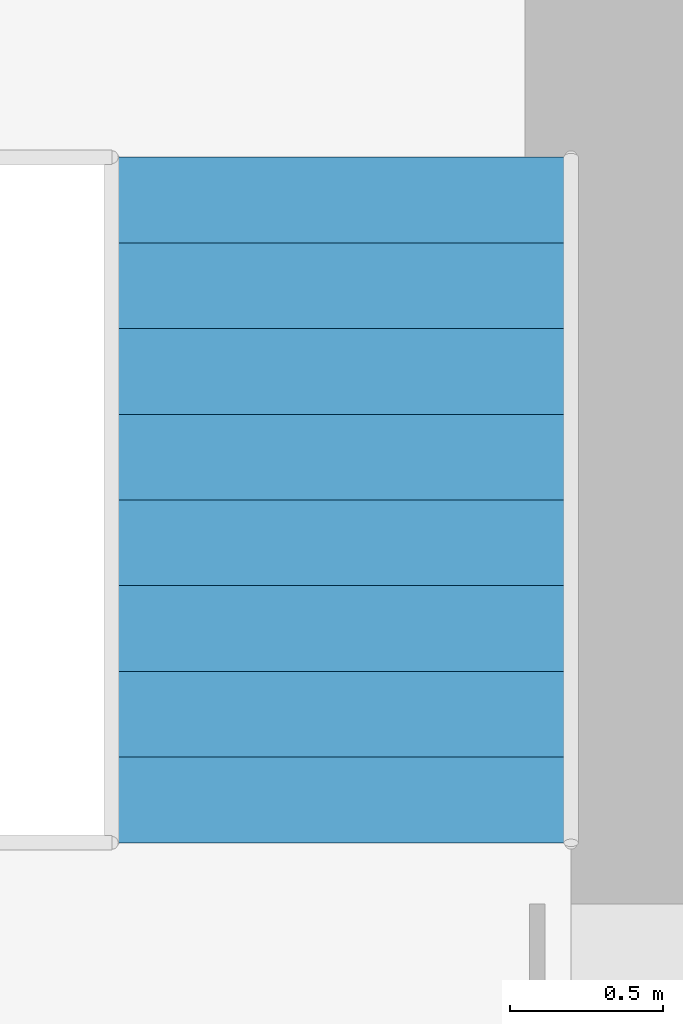
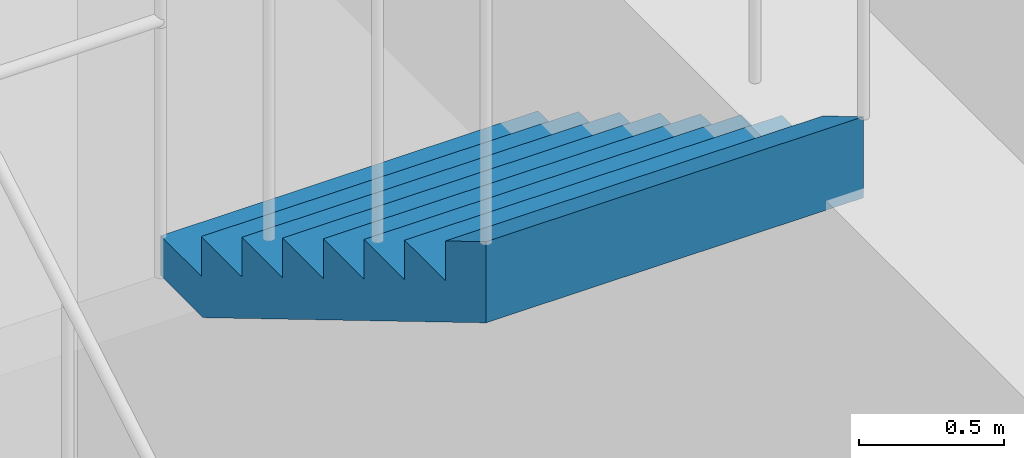
# One storey, part 22 of 32: 1 stair flight, 1 element without a shape of its own.
"""IFC4 building model written with IfcOpenShell, lengths in metres."""

import ifcopenshell
import ifcopenshell.guid

model = None  # the IFC model being written
_history = None  # IfcOwnerHistory: only IFC2X3 demands one
_inside = {}  # id of a spatial element -> (the spatial element, [elements in it])
_under = {}  # id of a project, library or spatial element -> (it, [spatial elements below it])
_declared = {}  # id of a project -> (the project, [libraries it declares])
_typed = {}  # id of a type object -> (the type object, [elements of that type])
_made_of = {}  # id of a material, layer set ... -> (it, [elements and type objects made of it])


def new_model(schema):
    """Start an empty IFC model of exactly this schema.

    Asked for "IFC4X3", IfcOpenShell would pick the latest addendum, in which some entities
    have other attributes; the version numbers below select the first issue.
    IFC2X3 requires an IfcOwnerHistory on every rooted entity: one is made here for all.
    """
    global model, _history
    if schema == "IFC4X3":
        model = ifcopenshell.file(schema_version=(4, 3, 0, 0))
    else:
        model = ifcopenshell.file(schema=schema)
    _inside.clear()
    _under.clear()
    _declared.clear()
    _typed.clear()
    _made_of.clear()
    _history = None
    if model.schema == "IFC2X3":
        org = make("IfcOrganization", Name="unknown")
        user = make(
            "IfcPersonAndOrganization",
            ThePerson=make("IfcPerson", FamilyName="unknown"),
            TheOrganization=org,
        )
        app = make(
            "IfcApplication",
            ApplicationDeveloper=org,
            Version="unknown",
            ApplicationFullName="unknown",
            ApplicationIdentifier="unknown",
        )
        _history = make(
            "IfcOwnerHistory",
            OwningUser=user,
            OwningApplication=app,
            ChangeAction="ADDED",
            CreationDate=0,
        )
    return model


def make(cls, **values):
    """One entity of the class cls with the attributes given. An attribute that is None is left unset."""
    return model.create_entity(
        cls, **{name: value for name, value in values.items() if value is not None}
    )


def rooted(cls, **values):
    """An entity with a GlobalId (a new one), such as an element, a storey or a relation."""
    return make(cls, GlobalId=ifcopenshell.guid.new(), OwnerHistory=_history, **values)


def si_unit(unit_type, name, prefix=None):
    """IfcSIUnit, for example si_unit("LENGTHUNIT", "METRE", prefix="MILLI")."""
    return make("IfcSIUnit", UnitType=unit_type, Prefix=prefix, Name=name)


def assignment(units):
    """IfcUnitAssignment: the units of a project."""
    return None if units is None else make("IfcUnitAssignment", Units=units)


def point(xyz):
    """IfcCartesianPoint."""
    return None if xyz is None else make("IfcCartesianPoint", Coordinates=xyz)


def direction(xyz):
    """IfcDirection."""
    return None if xyz is None else make("IfcDirection", DirectionRatios=xyz)


def frame(location, z_axis=None, x_axis=None):
    """IfcAxis2Placement3D, a coordinate frame: its origin and axes. An axis left out is left unset."""
    return make(
        "IfcAxis2Placement3D",
        Location=point(location),
        Axis=direction(z_axis),
        RefDirection=direction(x_axis),
    )


def origin():
    """The frame at (0, 0, 0) with its axes left unset."""
    return frame((0.0, 0.0, 0.0))


def place(relative_to, where):
    """IfcLocalPlacement: puts the frame where relative to a parent placement (None: the world)."""
    return make(
        "IfcLocalPlacement", PlacementRelTo=relative_to, RelativePlacement=where
    )


def context(
    kind, dimensions, precision=None, world=None, true_north=None, identifier=None
):
    """IfcGeometricRepresentationContext, for example the 3D "Model" context."""
    return make(
        "IfcGeometricRepresentationContext",
        ContextIdentifier=identifier,
        ContextType=kind,
        CoordinateSpaceDimension=dimensions,
        Precision=precision,
        WorldCoordinateSystem=world,
        TrueNorth=true_north,
    )


def subcontext(parent, identifier, kind, view, scale=None):
    """IfcGeometricRepresentationSubContext, for example "Body" below "Model"."""
    return make(
        "IfcGeometricRepresentationSubContext",
        ContextIdentifier=identifier,
        ContextType=kind,
        ParentContext=parent,
        TargetScale=scale,
        TargetView=view,
    )


def project(units=None, contexts=None):
    """IfcProject with its units and contexts."""
    return rooted(
        "IfcProject",
        Name="project",
        RepresentationContexts=contexts,
        UnitsInContext=assignment(units),
    )


def spatial(cls, under=None, at=None, **own):
    """A site, building, storey or space (cls), placed at a placement, below another one or the project."""
    s = rooted(cls, ObjectPlacement=at, **own)
    if under is not None:
        _under.setdefault(under.id(), (under, []))[1].append(s)
    return s


def point_list(points):
    """IfcCartesianPointList2D or 3D."""
    cls = (
        "IfcCartesianPointList2D" if len(points[0]) == 2 else "IfcCartesianPointList3D"
    )
    return make(cls, CoordList=points)


def triangles(points, corners, closed=None, point_numbers=None):
    """IfcTriangulatedFaceSet: each triangle names its three corners, points numbered from 1."""
    return make(
        "IfcTriangulatedFaceSet",
        Coordinates=point_list(points),
        Closed=closed,
        CoordIndex=corners,
        PnIndex=point_numbers,
    )


def shape(context_of_items, identifier, shape_type, items):
    """IfcShapeRepresentation: the items that make up one representation, for example the "Body"."""
    return make(
        "IfcShapeRepresentation",
        ContextOfItems=context_of_items,
        RepresentationIdentifier=identifier,
        RepresentationType=shape_type,
        Items=items,
    )


def material(Name=None, Category=None):
    """IfcMaterial."""
    return make("IfcMaterial", Name=Name, Category=Category)


def made_of(thing, what):
    """Note that an element or type object is made of a material, layer set ...; save() writes the relation."""
    if what is not None:
        _made_of.setdefault(what.id(), (what, []))[1].append(thing)
    return thing


def type_object(cls, material=None, **own):
    """A type object (cls), such as IfcWallType, which elements share."""
    return made_of(rooted(cls, **own), material)


def element(
    cls,
    number,
    at=None,
    inside=None,
    cuts=None,
    type_object=None,
    material=None,
    context=None,
    identifier="Body",
    shape_type=None,
    held_by="IfcProductDefinitionShape",
    body=None,
    shapes=None,
    **own,
):
    """One element of the class cls, such as IfcWall. Its Tag is "e" and its number.

    at: its placement. inside: the storey or other place that contains it. cuts: it is an
    opening in that element (IfcRelVoidsElement). A single representation is given by context,
    identifier, shape_type and body (its items); several are given by shapes. held_by: the class
    of the entity that holds the representations. save() writes the other relations.
    """
    e = rooted(cls, Tag="e%d" % number, ObjectPlacement=at, **own)
    if body is not None:
        shapes = [shape(context, identifier, shape_type, body)]
    if shapes is not None:
        e.Representation = make(held_by, Representations=shapes)
    if inside is not None:
        _inside.setdefault(inside.id(), (inside, []))[1].append(e)
    if cuts is not None:
        rooted(
            "IfcRelVoidsElement", RelatingBuildingElement=cuts, RelatedOpeningElement=e
        )
    if type_object is not None:
        _typed.setdefault(type_object.id(), (type_object, []))[1].append(e)
    return made_of(e, material)


def aggregate(whole, parts):
    """IfcRelAggregates: a whole, such as a stair, and the parts it consists of."""
    return rooted("IfcRelAggregates", RelatingObject=whole, RelatedObjects=parts)


def save(model, path):
    """Write the relations noted so far, then the file.

    IfcRelAggregates (storeys below a building ...), IfcRelContainedInSpatialStructure (elements
    in a storey), IfcRelDefinesByType, IfcRelAssociatesMaterial and IfcRelDeclares: one each for
    every whole, place, type object, material and project.
    """
    for whole, parts in _under.values():
        aggregate(whole, parts)
    for where, things in _inside.values():
        rooted(
            "IfcRelContainedInSpatialStructure",
            RelatedElements=things,
            RelatingStructure=where,
        )
    for kind, things in _typed.values():
        rooted("IfcRelDefinesByType", RelatedObjects=things, RelatingType=kind)
    for what, things in _made_of.values():
        rooted("IfcRelAssociatesMaterial", RelatedObjects=things, RelatingMaterial=what)
    for by, libraries in _declared.values():
        rooted("IfcRelDeclares", RelatingContext=by, RelatedDefinitions=libraries)
    model.write(path)


model = new_model("IFC4")

# Units and contexts
model_context = context("Model", 3, precision=1e-05, world=origin(), true_north=direction((0.0, 1.0)))
body_context = subcontext(model_context, "Body", "Model", "MODEL_VIEW")
ifc_project = project(units=[si_unit("LENGTHUNIT", "METRE"), si_unit("AREAUNIT", "SQUARE_METRE"), si_unit("VOLUMEUNIT", "CUBIC_METRE"), si_unit("PLANEANGLEUNIT", "RADIAN"), si_unit("MASSUNIT", "GRAM", prefix="KILO")], contexts=[model_context])

# Site, building, storey
site_placement = place(None, origin())
site = spatial("IfcSite", under=ifc_project, at=site_placement, CompositionType="ELEMENT")
building_placement = place(site_placement, origin())
building = spatial("IfcBuilding", under=site, at=building_placement, Name="Ludao Terraces", CompositionType="ELEMENT")
storey_placement = place(building_placement, origin())
storey = spatial("IfcBuildingStorey", under=building, at=storey_placement, Name="L00", CompositionType="ELEMENT", Elevation=0.0)

# Stair, stair flight
ifc_material = material(Name="Concrete C40", Category="concrete")
stair_type = type_object("IfcStairType", Name="INT Stair", PredefinedType="HALF_TURN_STAIR", material=ifc_material)
stair_placement = place(storey_placement, origin())
stair = element("IfcStair", 1, at=stair_placement, inside=storey, type_object=stair_type, Name="EXIT STAIR 2", PredefinedType="HALF_TURN_STAIR")
stair_flight_type = type_object("IfcStairFlightType", Name="INT Stair flight", PredefinedType="STRAIGHT", material=ifc_material)
stair_flight_placement = place(storey_placement, frame((93.800048828125, 81.239990234375, 4.5), z_axis=(0.0, 0.0, 1.0), x_axis=(0.0, -1.0, 0.0)))
stair_flight = element("IfcStairFlight", 2, at=stair_flight_placement, type_object=stair_flight_type, Name="ST2 flight 4", NumberOfRisers=9, NumberOfTreads=8, PredefinedType="STRAIGHT", RiserHeight=0.166667, TreadLength=0.28, context=body_context, shape_type="Tessellation", body=[
    triangles([(0.0, -0.75, 0.0), (0.0, -0.5, 0.0), (0.0, -0.25, 0.0), (0.0, 0.0, 0.0), (0.0, 0.25, 0.0), (0.0, 0.5, 0.0), (0.0, 0.75, 0.0), (0.0, -0.75, 0.166748046875), (0.0, -0.5, 0.166748046875), (0.0, -0.25, 0.166748046875), (0.0, 0.0, 0.166748046875), (0.0, 0.25, 0.166748046875), (0.0, 0.5, 0.166748046875), (0.0, 0.75, 0.166748046875), (0.280029296875, -0.75, 0.166748046875), (0.280029296875, -0.5, 0.166748046875), (0.280029296875, -0.25, 0.166748046875), (0.280029296875, 0.0, 0.166748046875), (0.280029296875, 0.25, 0.166748046875), (0.280029296875, 0.5, 0.166748046875), (0.280029296875, 0.75, 0.166748046875), (0.280029296875, -0.75, 0.333251953125), (0.280029296875, -0.5, 0.333251953125), (0.280029296875, -0.25, 0.333251953125), (0.280029296875, 0.0, 0.333251953125), (0.280029296875, 0.25, 0.333251953125), (0.280029296875, 0.5, 0.333251953125), (0.280029296875, 0.75, 0.333251953125), (0.56005859375, -0.75, 0.333251953125), (0.56005859375, -0.5, 0.333251953125), (0.56005859375, -0.25, 0.333251953125), (0.56005859375, 0.0, 0.333251953125), (0.56005859375, 0.25, 0.333251953125), (0.56005859375, 0.5, 0.333251953125), (0.56005859375, 0.75, 0.333251953125), (0.56005859375, -0.75, 0.5), (0.56005859375, -0.5, 0.5), (0.56005859375, -0.25, 0.5), (0.56005859375, 0.0, 0.5), (0.56005859375, 0.25, 0.5), (0.56005859375, 0.5, 0.5), (0.56005859375, 0.75, 0.5), (0.840087890625, -0.75, 0.5), (0.840087890625, -0.5, 0.5), (0.840087890625, -0.25, 0.5), (0.840087890625, 0.0, 0.5), (0.840087890625, 0.25, 0.5), (0.840087890625, 0.5, 0.5), (0.840087890625, 0.75, 0.5), (0.840087890625, -0.75, 0.666748046875), (0.840087890625, -0.5, 0.666748046875), (0.840087890625, -0.25, 0.666748046875), (0.840087890625, 0.0, 0.666748046875), (0.840087890625, 0.25, 0.666748046875), (0.840087890625, 0.5, 0.666748046875), (0.840087890625, 0.75, 0.666748046875), (1.1201171875, -0.75, 0.666748046875), (1.1201171875, -0.5, 0.666748046875), (1.1201171875, -0.25, 0.666748046875), (1.1201171875, 0.0, 0.666748046875), (1.1201171875, 0.25, 0.666748046875), (1.1201171875, 0.5, 0.666748046875), (1.1201171875, 0.75, 0.666748046875), (1.1201171875, -0.75, 0.833251953125), (1.1201171875, -0.5, 0.833251953125), (1.1201171875, -0.25, 0.833251953125), (1.1201171875, 0.0, 0.833251953125), (1.1201171875, 0.25, 0.833251953125), (1.1201171875, 0.5, 0.833251953125), (1.1201171875, 0.75, 0.833251953125), (1.39990234375, -0.75, 0.833251953125), (1.39990234375, -0.5, 0.833251953125), (1.39990234375, -0.25, 0.833251953125), (1.39990234375, 0.0, 0.833251953125), (1.39990234375, 0.25, 0.833251953125), (1.39990234375, 0.5, 0.833251953125), (1.39990234375, 0.75, 0.833251953125), (1.39990234375, -0.75, 1.0), (1.39990234375, -0.5, 1.0), (1.39990234375, -0.25, 1.0), (1.39990234375, 0.0, 1.0), (1.39990234375, 0.25, 1.0), (1.39990234375, 0.5, 1.0), (1.39990234375, 0.75, 1.0), (1.679931640625, -0.75, 1.0), (1.679931640625, -0.5, 1.0), (1.679931640625, -0.25, 1.0), (1.679931640625, 0.0, 1.0), (1.679931640625, 0.25, 1.0), (1.679931640625, 0.5, 1.0), (1.679931640625, 0.75, 1.0), (1.679931640625, -0.75, 1.166748046875), (1.679931640625, -0.5, 1.166748046875), (1.679931640625, -0.25, 1.166748046875), (1.679931640625, 0.0, 1.166748046875), (1.679931640625, 0.25, 1.166748046875), (1.679931640625, 0.5, 1.166748046875), (1.679931640625, 0.75, 1.166748046875), (1.9599609375, -0.75, 1.166748046875), (1.9599609375, -0.5, 1.166748046875), (1.9599609375, -0.25, 1.166748046875), (1.9599609375, 0.0, 1.166748046875), (1.9599609375, 0.25, 1.166748046875), (1.9599609375, 0.5, 1.166748046875), (1.9599609375, 0.75, 1.166748046875), (1.9599609375, -0.75, 1.333251953125), (1.9599609375, -0.5, 1.333251953125), (1.9599609375, -0.25, 1.333251953125), (1.9599609375, 0.0, 1.333251953125), (1.9599609375, 0.25, 1.333251953125), (1.9599609375, 0.5, 1.333251953125), (1.9599609375, 0.75, 1.333251953125), (2.239990234375, -0.75, 1.5), (2.239990234375, -0.5, 1.5), (2.239990234375, -0.25, 1.5), (2.239990234375, 0.0, 1.5), (2.239990234375, 0.25, 1.5), (2.239990234375, 0.5, 1.5), (2.239990234375, 0.75, 1.5), (2.239990234375, -0.75, 1.158935546875), (2.239990234375, -0.5, 1.158935546875), (2.239990234375, -0.25, 1.158935546875), (2.239990234375, 0.0, 1.158935546875), (2.239990234375, 0.25, 1.158935546875), (2.239990234375, 0.5, 1.158935546875), (2.239990234375, 0.75, 1.158935546875), (0.29296875, -0.75, 0.0), (0.29296875, -0.5, 0.0), (0.29296875, -0.25, 0.0), (0.29296875, 0.0, 0.0), (0.29296875, 0.25, 0.0), (0.29296875, 0.5, 0.0), (0.29296875, 0.75, 0.0)], [[1, 127, 120], [7, 126, 133], [120, 113, 106], [126, 112, 119], [120, 106, 99], [126, 105, 112], [120, 99, 92], [126, 98, 105], [120, 92, 85], [126, 91, 98], [85, 78, 71], [91, 77, 84], [120, 85, 71], [126, 77, 91], [71, 64, 57], [77, 63, 70], [120, 71, 57], [126, 63, 77], [57, 50, 43], [63, 49, 56], [120, 57, 43], [126, 49, 63], [43, 36, 29], [49, 35, 42], [120, 43, 29], [126, 35, 49], [1, 120, 29], [7, 35, 126], [29, 22, 15], [35, 21, 28], [1, 29, 15], [7, 21, 35], [15, 8, 1], [21, 7, 14], [1, 9, 2], [1, 8, 9], [2, 10, 3], [2, 9, 10], [3, 11, 4], [3, 10, 11], [4, 12, 5], [4, 11, 12], [5, 13, 6], [5, 12, 13], [6, 14, 7], [6, 13, 14], [8, 16, 9], [8, 15, 16], [9, 17, 10], [9, 16, 17], [10, 18, 11], [10, 17, 18], [11, 19, 12], [11, 18, 19], [12, 20, 13], [12, 19, 20], [13, 21, 14], [13, 20, 21], [15, 23, 16], [15, 22, 23], [16, 24, 17], [16, 23, 24], [17, 25, 18], [17, 24, 25], [18, 26, 19], [18, 25, 26], [19, 27, 20], [19, 26, 27], [20, 28, 21], [20, 27, 28], [22, 30, 23], [22, 29, 30], [23, 31, 24], [23, 30, 31], [24, 32, 25], [24, 31, 32], [25, 33, 26], [25, 32, 33], [26, 34, 27], [26, 33, 34], [27, 35, 28], [27, 34, 35], [29, 37, 30], [29, 36, 37], [30, 38, 31], [30, 37, 38], [31, 39, 32], [31, 38, 39], [32, 40, 33], [32, 39, 40], [33, 41, 34], [33, 40, 41], [34, 42, 35], [34, 41, 42], [36, 44, 37], [36, 43, 44], [37, 45, 38], [37, 44, 45], [38, 46, 39], [38, 45, 46], [39, 47, 40], [39, 46, 47], [40, 48, 41], [40, 47, 48], [41, 49, 42], [41, 48, 49], [43, 51, 44], [43, 50, 51], [44, 52, 45], [44, 51, 52], [45, 53, 46], [45, 52, 53], [46, 54, 47], [46, 53, 54], [47, 55, 48], [47, 54, 55], [48, 56, 49], [48, 55, 56], [50, 58, 51], [50, 57, 58], [51, 59, 52], [51, 58, 59], [52, 60, 53], [52, 59, 60], [53, 61, 54], [53, 60, 61], [54, 62, 55], [54, 61, 62], [55, 63, 56], [55, 62, 63], [57, 65, 58], [57, 64, 65], [58, 66, 59], [58, 65, 66], [59, 67, 60], [59, 66, 67], [60, 68, 61], [60, 67, 68], [61, 69, 62], [61, 68, 69], [62, 70, 63], [62, 69, 70], [64, 72, 65], [64, 71, 72], [65, 73, 66], [65, 72, 73], [66, 74, 67], [66, 73, 74], [67, 75, 68], [67, 74, 75], [68, 76, 69], [68, 75, 76], [69, 77, 70], [69, 76, 77], [71, 79, 72], [71, 78, 79], [72, 80, 73], [72, 79, 80], [73, 81, 74], [73, 80, 81], [74, 82, 75], [74, 81, 82], [75, 83, 76], [75, 82, 83], [76, 84, 77], [76, 83, 84], [78, 86, 79], [78, 85, 86], [79, 87, 80], [79, 86, 87], [80, 88, 81], [80, 87, 88], [81, 89, 82], [81, 88, 89], [82, 90, 83], [82, 89, 90], [83, 91, 84], [83, 90, 91], [85, 93, 86], [85, 92, 93], [86, 94, 87], [86, 93, 94], [87, 95, 88], [87, 94, 95], [88, 96, 89], [88, 95, 96], [89, 97, 90], [89, 96, 97], [90, 98, 91], [90, 97, 98], [92, 100, 93], [92, 99, 100], [93, 101, 94], [93, 100, 101], [94, 102, 95], [94, 101, 102], [95, 103, 96], [95, 102, 103], [96, 104, 97], [96, 103, 104], [97, 105, 98], [97, 104, 105], [99, 107, 100], [99, 106, 107], [100, 108, 101], [100, 107, 108], [101, 109, 102], [101, 108, 109], [102, 110, 103], [102, 109, 110], [103, 111, 104], [103, 110, 111], [104, 112, 105], [104, 111, 112], [106, 114, 107], [106, 113, 114], [107, 115, 108], [107, 114, 115], [108, 116, 109], [108, 115, 116], [109, 117, 110], [109, 116, 117], [110, 118, 111], [110, 117, 118], [111, 119, 112], [111, 118, 119], [113, 121, 114], [113, 120, 121], [114, 122, 115], [114, 121, 122], [115, 123, 116], [115, 122, 123], [116, 124, 117], [116, 123, 124], [117, 125, 118], [117, 124, 125], [118, 126, 119], [118, 125, 126], [120, 128, 121], [120, 127, 128], [121, 129, 122], [121, 128, 129], [122, 130, 123], [122, 129, 130], [123, 131, 124], [123, 130, 131], [124, 132, 125], [124, 131, 132], [125, 133, 126], [125, 132, 133], [127, 2, 128], [127, 1, 2], [128, 3, 129], [128, 2, 3], [129, 4, 130], [129, 3, 4], [130, 5, 131], [130, 4, 5], [131, 6, 132], [131, 5, 6], [132, 7, 133], [132, 6, 7]], closed=True),
])
aggregate(stair, [stair_flight])

save(model, "model.ifc")
